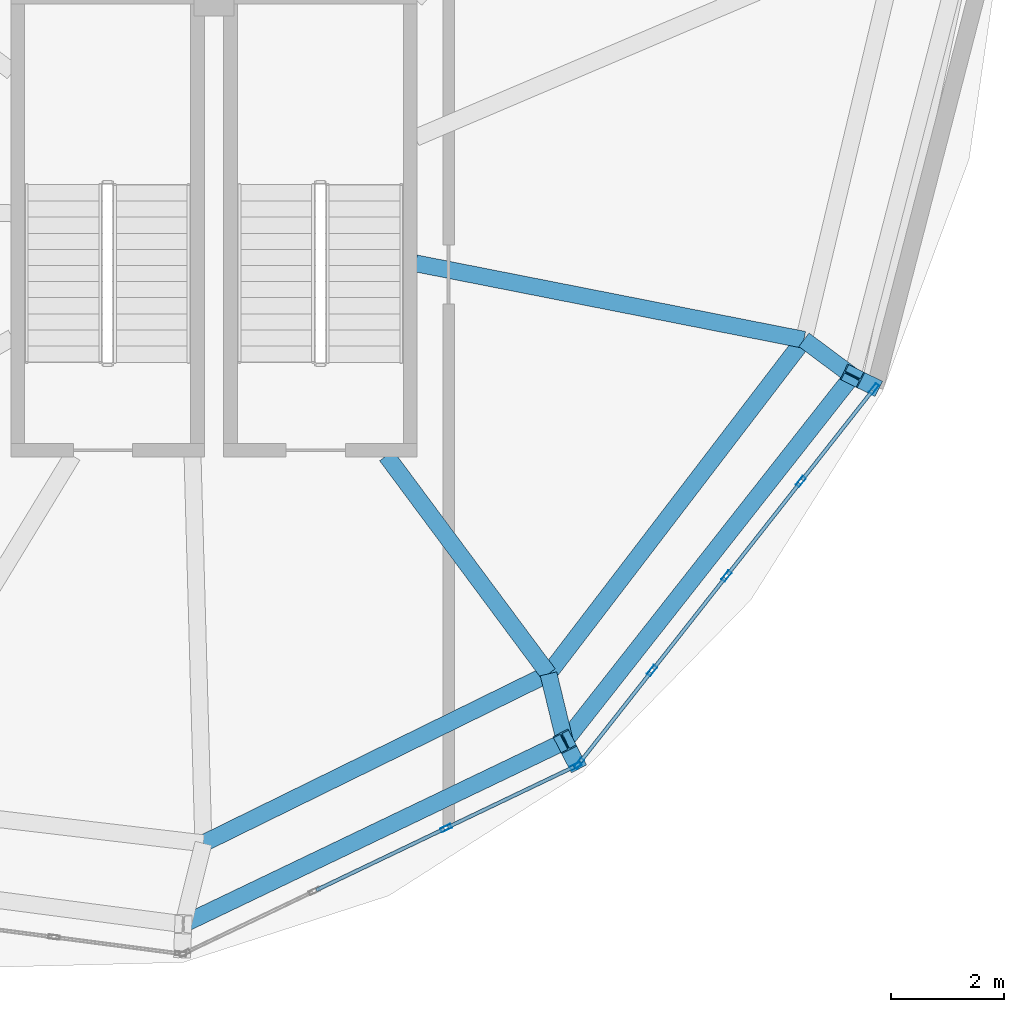
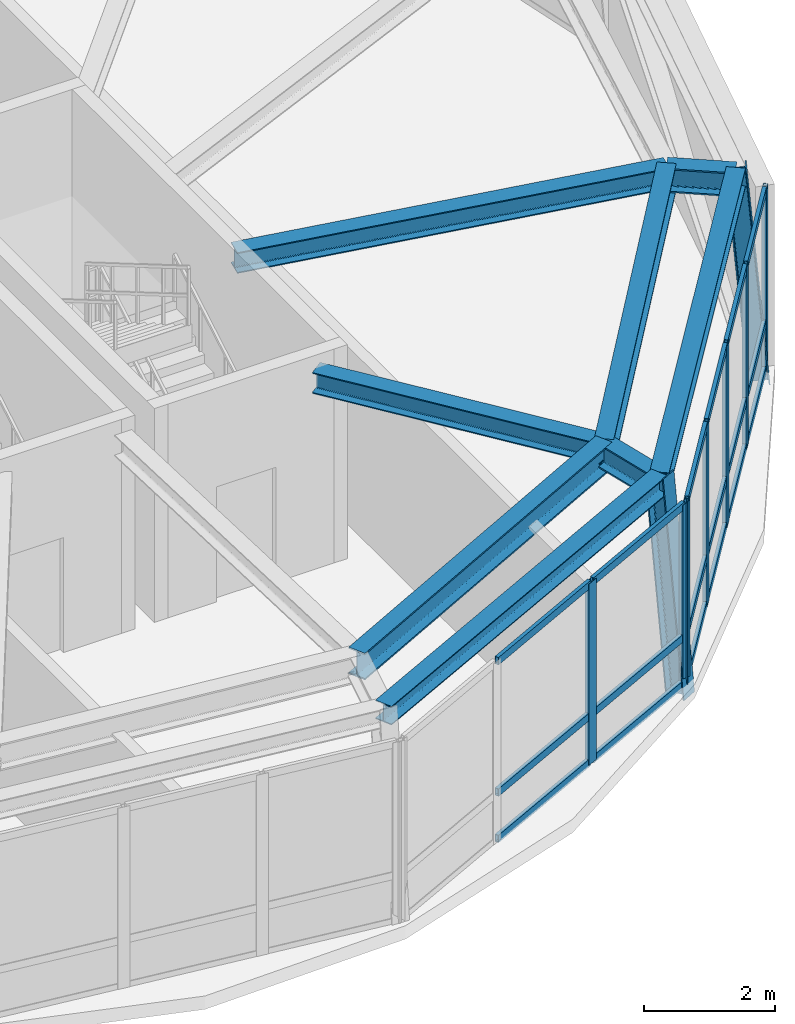
# One storey, part 4 of 11: 27 members, 8 beams, 2 elements without a shape of their own.
"""IFC4 building model written with IfcOpenShell, lengths in metres."""

from ifc_helpers import new_model, si_unit, direction, frame, origin, origin_2d, place, context, subcontext, project, spatial, hollow_rectangle, i_section, extrude, material, layer, layer_set, material_profile, profile_set, type_object, element, aggregate, save


model = new_model("IFC4")

# Units and contexts
model_context = context("Model", 3, precision=1e-05, world=origin(), true_north=direction((0.0, 1.0)))
body_context = subcontext(model_context, "Body", "Model", "MODEL_VIEW")
ifc_project = project(units=[si_unit("LENGTHUNIT", "METRE"), si_unit("AREAUNIT", "SQUARE_METRE"), si_unit("VOLUMEUNIT", "CUBIC_METRE"), si_unit("PLANEANGLEUNIT", "RADIAN"), si_unit("MASSUNIT", "GRAM", prefix="KILO"), si_unit("THERMODYNAMICTEMPERATUREUNIT", "KELVIN"), si_unit("POWERUNIT", "WATT")], contexts=[model_context])

# Site, building, storey
site_placement = place(None, origin())
site = spatial("IfcSite", under=ifc_project, at=site_placement, CompositionType="ELEMENT")
building_placement = place(site_placement, origin())
building = spatial("IfcBuilding", under=site, at=building_placement, Name="Ocrelia Relay Tower", CompositionType="ELEMENT")
storey_placement = place(building_placement, frame((0.0, 0.0, 292.0)))
storey = spatial("IfcBuildingStorey", under=building, at=storey_placement, Name="L73", CompositionType="ELEMENT", Elevation=292.0)

# Beams
ifc_material_1 = material(Name="Steel S355", Category="steel")
ifc_material_profile_1 = material_profile(ifc_material_1, i_section(OverallWidth=0.300048828125, OverallDepth=0.35009765625, WebThickness=0.010009765625, FlangeThickness=0.017578125, FilletRadius=0.027099609375, at=origin_2d()), Name="HEA 360")
ifc_profile_set_1 = profile_set([ifc_material_profile_1], Name="Steel S355")
beam_type_1 = type_object("IfcBeamType", Name="BM-HEA360", PredefinedType="SPANDREL", material=ifc_profile_set_1)
beam_1_placement = place(storey_placement, frame((33.456787109375, 10.70947265625, 3.574951171875), z_axis=(0.901811525777, 0.432129577762, 0.0), x_axis=(-0.432129577762, 0.901811525777, 0.0)))
element("IfcBeam", 1, at=beam_1_placement, inside=storey, type_object=beam_type_1, Name="L73 Crown Faceted Ring Beam R08", PredefinedType="SPANDREL", context=body_context, shape_type="SweptSolid", body=[
    extrude(i_section(OverallWidth=0.300048828125, OverallDepth=0.35009765625, WebThickness=0.010009765625, FlangeThickness=0.017578125, FilletRadius=0.027099609375, at=origin_2d()), origin(), (0.0, 0.0, 1.0), 7.483154296875),
])
beam_2_placement = place(storey_placement, frame((40.205078125, 13.943115234375, 3.574951171875), z_axis=(0.618332661084, 0.785916484263, 0.0), x_axis=(-0.785916484263, 0.618332661084, 0.0)))
element("IfcBeam", 2, at=beam_2_placement, inside=storey, type_object=beam_type_1, Name="L73 Crown Faceted Ring Beam R09", PredefinedType="SPANDREL", context=body_context, shape_type="SweptSolid", body=[
    extrude(i_section(OverallWidth=0.300048828125, OverallDepth=0.35009765625, WebThickness=0.010009765625, FlangeThickness=0.017578125, FilletRadius=0.027099609375, at=origin_2d()), origin(), (0.0, 0.0, 1.0), 8.225341796875),
])
ifc_material_profile_2 = material_profile(ifc_material_1, i_section(OverallWidth=0.300048828125, OverallDepth=0.389892578125, WebThickness=0.010986328125, FlangeThickness=0.01904296875, FilletRadius=0.027099609375, at=origin_2d()), Name="HEA 400")
ifc_profile_set_2 = profile_set([ifc_material_profile_2], Name="Steel S355")
beam_type_2 = type_object("IfcBeamType", Name="BM-HEA400", PredefinedType="SPANDREL", material=ifc_profile_set_2)
beam_3_placement = place(storey_placement, frame((39.915283203125, 15.1376953125, 3.554931640625), z_axis=(-0.596352062791, 0.802723001542, 0.0), x_axis=(-0.802723001542, -0.596352062791, 0.0)))
element("IfcBeam", 3, at=beam_3_placement, inside=storey, type_object=beam_type_2, Name="L73 Crown Radial Floor Beam 09", PredefinedType="SPANDREL", context=body_context, shape_type="SweptSolid", body=[
    extrude(i_section(OverallWidth=0.300048828125, OverallDepth=0.389892578125, WebThickness=0.010986328125, FlangeThickness=0.01904296875, FilletRadius=0.027099609375, at=origin_2d()), origin(), (0.0, 0.0, 1.0), 4.805419921875),
])
beam_4_placement = place(storey_placement, frame((44.43359375, 21.0458984375, 3.554931640625), z_axis=(-0.981165101671, 0.193171020763, 0.0), x_axis=(-0.193171020763, -0.981165101671, 0.0)))
element("IfcBeam", 4, at=beam_4_placement, inside=storey, type_object=beam_type_2, Name="L73 Crown Radial Floor Beam 10", PredefinedType="SPANDREL", context=body_context, shape_type="SweptSolid", body=[
    extrude(i_section(OverallWidth=0.300048828125, OverallDepth=0.389892578125, WebThickness=0.010986328125, FlangeThickness=0.01904296875, FilletRadius=0.027099609375, at=origin_2d()), origin(), (0.0, 0.0, 1.0), 7.00048828125),
])
ifc_material_profile_3 = material_profile(ifc_material_1, i_section(OverallWidth=0.300048828125, OverallDepth=0.449951171875, WebThickness=0.013916015625, FlangeThickness=0.02587890625, FilletRadius=0.027099609375, at=origin_2d()), Name="HEB 450")
ifc_profile_set_3 = profile_set([ifc_material_profile_3], Name="Steel S355")
beam_type_3 = type_object("IfcBeamType", Name="BM-HEB450", PredefinedType="BEAM", material=ifc_profile_set_3)
beam_5_placement = place(storey_placement, frame((40.205078125, 13.943115234375, 3.52490234375), z_axis=(-0.235753504113, 0.97181288595, 0.0), x_axis=(-0.97181288595, -0.235753504113, 0.0)))
element("IfcBeam", 5, at=beam_5_placement, inside=storey, type_object=beam_type_3, Name="L73 Crown Step Radial Beam ST09", PredefinedType="BEAM", context=body_context, shape_type="SweptSolid", body=[
    extrude(i_section(OverallWidth=0.300048828125, OverallDepth=0.449951171875, WebThickness=0.013916015625, FlangeThickness=0.02587890625, FilletRadius=0.027099609375, at=origin_2d()), origin(), (0.0, 0.0, 1.0), 1.229248046875),
])
beam_6_placement = place(storey_placement, frame((45.291015625, 20.407470703125, 3.52490234375), z_axis=(-0.8020780247, 0.597219258141, 0.0), x_axis=(-0.597219258141, -0.8020780247, 0.0)))
element("IfcBeam", 6, at=beam_6_placement, inside=storey, type_object=beam_type_3, Name="L73 Crown Step Radial Beam ST10", PredefinedType="BEAM", context=body_context, shape_type="SweptSolid", body=[
    extrude(i_section(OverallWidth=0.300048828125, OverallDepth=0.449951171875, WebThickness=0.013916015625, FlangeThickness=0.02587890625, FilletRadius=0.027099609375, at=origin_2d()), origin(), (0.0, 0.0, 1.0), 1.069091796875),
])
ifc_material_profile_4 = material_profile(ifc_material_1, i_section(OverallWidth=0.300048828125, OverallDepth=0.5, WebThickness=0.014404296875, FlangeThickness=0.028076171875, FilletRadius=0.027099609375, at=origin_2d()), Name="HEB 500")
ifc_profile_set_4 = profile_set([ifc_material_profile_4], Name="Steel S355")
beam_type_4 = type_object("IfcBeamType", Name="BM-HEB500", PredefinedType="BEAM", material=ifc_profile_set_4)
beam_7_placement = place(storey_placement, frame((33.81201171875, 12.140380859375, 3.5), z_axis=(0.897599940141, 0.440811011045, 0.0), x_axis=(-0.440811011045, 0.897599940141, 0.0)))
element("IfcBeam", 7, at=beam_7_placement, inside=storey, type_object=beam_type_4, Name="L73 Crown Step Perimeter Ring Beam SR08", PredefinedType="BEAM", context=body_context, shape_type="SweptSolid", body=[
    extrude(i_section(OverallWidth=0.300048828125, OverallDepth=0.5, WebThickness=0.014404296875, FlangeThickness=0.028076171875, FilletRadius=0.027099609375, at=origin_2d()), origin(), (0.0, 0.0, 1.0), 6.799560546875),
])
beam_8_placement = place(storey_placement, frame((39.915283203125, 15.1376953125, 3.5), z_axis=(0.607473256097, 0.794340130629, 0.0), x_axis=(-0.794340130629, 0.607473256097, 0.0)))
element("IfcBeam", 8, at=beam_8_placement, inside=storey, type_object=beam_type_4, Name="L73 Crown Step Perimeter Ring Beam SR09", PredefinedType="BEAM", context=body_context, shape_type="SweptSolid", body=[
    extrude(i_section(OverallWidth=0.300048828125, OverallDepth=0.5, WebThickness=0.014404296875, FlangeThickness=0.028076171875, FilletRadius=0.027099609375, at=origin_2d()), origin(), (0.0, 0.0, 1.0), 7.43798828125),
])

# Curtain wall, members
ifc_material_2 = material(Name="Aluminium and solar-control low-E glass", Category="aluminium")
ifc_layer = layer(ifc_material_2, 0.179931640625, Name="Aluminium and solar-control low-E glass")
ifc_layer_set = layer_set([ifc_layer], Name="Aluminium and solar-control low-E glass")
curtain_wall_type = type_object("IfcCurtainWallType", Name="CW-SYS-CROWN-PT", PredefinedType="NOTDEFINED", material=ifc_layer_set)
curtain_wall_1_placement = place(storey_placement, origin())
curtain_wall_1 = element("IfcCurtainWall", 9, at=curtain_wall_1_placement, inside=storey, type_object=curtain_wall_type, Name="L73 Faceted Glass-Point Crown Curtain Wall 08", PredefinedType="NOTDEFINED")
ifc_material_3 = material(Name="Anodised bronze aluminium", Category="aluminium")
ifc_material_profile_5 = material_profile(ifc_material_3, hollow_rectangle(XDim=0.074951171875, YDim=0.199951171875, WallThickness=0.006103515625, at=origin_2d()), Name="CW-MUL-200x75")
ifc_profile_set_5 = profile_set([ifc_material_profile_5], Name="Anodised bronze aluminium")
member_type_1 = type_object("IfcMemberType", Name="CW-SYS-CROWN-PT-MUL", PredefinedType="MULLION", material=ifc_profile_set_5)
member_1_placement = place(storey_placement, frame((38.103759765625, 12.409912109375, 0.0), z_axis=(0.0, 0.0, 1.0), x_axis=(-0.431476975166, 0.902123949301, 0.0)))
member_1 = element("IfcMember", 10, at=member_1_placement, type_object=member_type_1, Name="CW-CR mullion 3", PredefinedType="MULLION", context=body_context, shape_type="SweptSolid", body=[
    extrude(hollow_rectangle(XDim=0.074951171875, YDim=0.199951171875, WallThickness=0.006103515625, at=origin_2d()), origin(), (0.0, 0.0, 1.0), 3.389892578125),
])
member_2_placement = place(storey_placement, frame((40.3984375, 13.507568359375, 0.0), z_axis=(0.0, 0.0, 1.0), x_axis=(-0.431476975166, 0.902123949301, 0.0)))
member_2 = element("IfcMember", 11, at=member_2_placement, type_object=member_type_1, Name="CW-CR mullion 4", PredefinedType="MULLION", context=body_context, shape_type="SweptSolid", body=[
    extrude(hollow_rectangle(XDim=0.074951171875, YDim=0.199951171875, WallThickness=0.006103515625, at=origin_2d()), origin(), (0.0, 0.0, 1.0), 3.389892578125),
])

curtain_wall_2_placement = place(storey_placement, origin())
curtain_wall_2 = element("IfcCurtainWall", 12, at=curtain_wall_2_placement, inside=storey, type_object=curtain_wall_type, Name="L73 Faceted Glass-Point Crown Curtain Wall 09", PredefinedType="NOTDEFINED")
member_3_placement = place(storey_placement, frame((40.45556640625, 13.55322265625, 0.0), z_axis=(0.0, 0.0, 1.0), x_axis=(-0.785742011469, 0.61855435607, 0.0)))
member_3 = element("IfcMember", 13, at=member_3_placement, type_object=member_type_1, Name="CW-CR mullion 1", PredefinedType="MULLION", context=body_context, shape_type="SweptSolid", body=[
    extrude(hollow_rectangle(XDim=0.074951171875, YDim=0.199951171875, WallThickness=0.006103515625, at=origin_2d()), origin(), (0.0, 0.0, 1.0), 3.389892578125),
])
member_4_placement = place(storey_placement, frame((41.747802734375, 15.194580078125, 0.0), z_axis=(0.0, 0.0, 1.0), x_axis=(-0.785742011469, 0.61855435607, 0.0)))
member_4 = element("IfcMember", 14, at=member_4_placement, type_object=member_type_1, Name="CW-CR mullion 2", PredefinedType="MULLION", context=body_context, shape_type="SweptSolid", body=[
    extrude(hollow_rectangle(XDim=0.074951171875, YDim=0.199951171875, WallThickness=0.006103515625, at=origin_2d()), origin(), (0.0, 0.0, 1.0), 3.389892578125),
])
member_5_placement = place(storey_placement, frame((43.063232421875, 16.86572265625, 0.0), z_axis=(0.0, 0.0, 1.0), x_axis=(-0.785742011469, 0.61855435607, 0.0)))
member_5 = element("IfcMember", 15, at=member_5_placement, type_object=member_type_1, Name="CW-CR mullion 3", PredefinedType="MULLION", context=body_context, shape_type="SweptSolid", body=[
    extrude(hollow_rectangle(XDim=0.074951171875, YDim=0.199951171875, WallThickness=0.006103515625, at=origin_2d()), origin(), (0.0, 0.0, 1.0), 3.389892578125),
])
member_6_placement = place(storey_placement, frame((44.378662109375, 18.53662109375, 0.0), z_axis=(0.0, 0.0, 1.0), x_axis=(-0.785742011469, 0.61855435607, 0.0)))
member_6 = element("IfcMember", 16, at=member_6_placement, type_object=member_type_1, Name="CW-CR mullion 4", PredefinedType="MULLION", context=body_context, shape_type="SweptSolid", body=[
    extrude(hollow_rectangle(XDim=0.074951171875, YDim=0.199951171875, WallThickness=0.006103515625, at=origin_2d()), origin(), (0.0, 0.0, 1.0), 3.389892578125),
])
member_7_placement = place(storey_placement, frame((45.6708984375, 20.17822265625, 0.0), z_axis=(0.0, 0.0, 1.0), x_axis=(-0.785742011469, 0.61855435607, 0.0)))
member_7 = element("IfcMember", 17, at=member_7_placement, type_object=member_type_1, Name="CW-CR mullion 5", PredefinedType="MULLION", context=body_context, shape_type="SweptSolid", body=[
    extrude(hollow_rectangle(XDim=0.074951171875, YDim=0.199951171875, WallThickness=0.006103515625, at=origin_2d()), origin(), (0.0, 0.0, 1.0), 3.389892578125),
])

# Member
ifc_material_profile_6 = material_profile(ifc_material_3, hollow_rectangle(XDim=0.06494140625, YDim=0.139892578125, WallThickness=0.0048828125, at=origin_2d()), Name="CW-TRN-140x65")
ifc_profile_set_6 = profile_set([ifc_material_profile_6], Name="Anodised bronze aluminium")
member_type_2 = type_object("IfcMemberType", Name="CW-SYS-CROWN-PT-TRN", PredefinedType="USERDEFINED", material=ifc_profile_set_6)
member_8_placement = place(storey_placement, frame((35.809326171875, 11.3125, 0.032470703125), z_axis=(0.902122680617, 0.431479627695, 0.0), x_axis=(-0.431479627695, 0.902122680617, 0.0)))
member_8 = element("IfcMember", 18, at=member_8_placement, type_object=member_type_2, Name="CW-CR transom 2.1", ObjectType="TRANSOM", PredefinedType="USERDEFINED", context=body_context, shape_type="SweptSolid", body=[
    extrude(hollow_rectangle(XDim=0.06494140625, YDim=0.139892578125, WallThickness=0.0048828125, at=origin_2d()), origin(), (0.0, 0.0, 1.0), 2.506103515625),
])

member_9_placement = place(storey_placement, frame((35.809326171875, 11.3125, 0.89990234375), z_axis=(0.902122680617, 0.431479627695, 0.0), x_axis=(-0.431479627695, 0.902122680617, 0.0)))
member_9 = element("IfcMember", 19, at=member_9_placement, type_object=member_type_2, Name="CW-CR transom 2.2", ObjectType="TRANSOM", PredefinedType="USERDEFINED", context=body_context, shape_type="SweptSolid", body=[
    extrude(hollow_rectangle(XDim=0.06494140625, YDim=0.139892578125, WallThickness=0.0048828125, at=origin_2d()), origin(), (0.0, 0.0, 1.0), 2.506103515625),
])

member_10_placement = place(storey_placement, frame((35.809326171875, 11.3125, 3.357421875), z_axis=(0.902122680617, 0.431479627695, 0.0), x_axis=(-0.431479627695, 0.902122680617, 0.0)))
member_10 = element("IfcMember", 20, at=member_10_placement, type_object=member_type_2, Name="CW-CR transom 2.3", ObjectType="TRANSOM", PredefinedType="USERDEFINED", context=body_context, shape_type="SweptSolid", body=[
    extrude(hollow_rectangle(XDim=0.06494140625, YDim=0.139892578125, WallThickness=0.0048828125, at=origin_2d()), origin(), (0.0, 0.0, 1.0), 2.506103515625),
])

member_11_placement = place(storey_placement, frame((38.1376953125, 12.42626953125, 0.032470703125), z_axis=(0.902122506019, 0.431479992739, 0.0), x_axis=(-0.431479992739, 0.902122506019, 0.0)))
member_11 = element("IfcMember", 21, at=member_11_placement, type_object=member_type_2, Name="CW-CR transom 3.1", ObjectType="TRANSOM", PredefinedType="USERDEFINED", context=body_context, shape_type="SweptSolid", body=[
    extrude(hollow_rectangle(XDim=0.06494140625, YDim=0.139892578125, WallThickness=0.0048828125, at=origin_2d()), origin(), (0.0, 0.0, 1.0), 2.46875),
])

member_12_placement = place(storey_placement, frame((38.1376953125, 12.42626953125, 0.89990234375), z_axis=(0.902122506019, 0.431479992739, 0.0), x_axis=(-0.431479992739, 0.902122506019, 0.0)))
member_12 = element("IfcMember", 22, at=member_12_placement, type_object=member_type_2, Name="CW-CR transom 3.2", ObjectType="TRANSOM", PredefinedType="USERDEFINED", context=body_context, shape_type="SweptSolid", body=[
    extrude(hollow_rectangle(XDim=0.06494140625, YDim=0.139892578125, WallThickness=0.0048828125, at=origin_2d()), origin(), (0.0, 0.0, 1.0), 2.46875),
])

member_13_placement = place(storey_placement, frame((38.1376953125, 12.42626953125, 3.357421875), z_axis=(0.902122506019, 0.431479992739, 0.0), x_axis=(-0.431479992739, 0.902122506019, 0.0)))
member_13 = element("IfcMember", 23, at=member_13_placement, type_object=member_type_2, Name="CW-CR transom 3.3", ObjectType="TRANSOM", PredefinedType="USERDEFINED", context=body_context, shape_type="SweptSolid", body=[
    extrude(hollow_rectangle(XDim=0.06494140625, YDim=0.139892578125, WallThickness=0.0048828125, at=origin_2d()), origin(), (0.0, 0.0, 1.0), 2.46875),
])

aggregate(curtain_wall_1, [member_1, member_2, member_8, member_9, member_10, member_11, member_12, member_13])

member_14_placement = place(storey_placement, frame((40.478759765625, 13.58251953125, 0.032470703125), z_axis=(0.618511841129, 0.785775478354, 0.0), x_axis=(-0.785775478354, 0.618511841129, 0.0)))
member_14 = element("IfcMember", 24, at=member_14_placement, type_object=member_type_2, Name="CW-CR transom 1.1", ObjectType="TRANSOM", PredefinedType="USERDEFINED", context=body_context, shape_type="SweptSolid", body=[
    extrude(hollow_rectangle(XDim=0.06494140625, YDim=0.139892578125, WallThickness=0.0048828125, at=origin_2d()), origin(), (0.0, 0.0, 1.0), 2.01416015625),
])

member_15_placement = place(storey_placement, frame((40.478759765625, 13.58251953125, 0.89990234375), z_axis=(0.618511841129, 0.785775478354, 0.0), x_axis=(-0.785775478354, 0.618511841129, 0.0)))
member_15 = element("IfcMember", 25, at=member_15_placement, type_object=member_type_2, Name="CW-CR transom 1.2", ObjectType="TRANSOM", PredefinedType="USERDEFINED", context=body_context, shape_type="SweptSolid", body=[
    extrude(hollow_rectangle(XDim=0.06494140625, YDim=0.139892578125, WallThickness=0.0048828125, at=origin_2d()), origin(), (0.0, 0.0, 1.0), 2.01416015625),
])

member_16_placement = place(storey_placement, frame((40.478759765625, 13.58251953125, 3.357421875), z_axis=(0.618511841129, 0.785775478354, 0.0), x_axis=(-0.785775478354, 0.618511841129, 0.0)))
member_16 = element("IfcMember", 26, at=member_16_placement, type_object=member_type_2, Name="CW-CR transom 1.3", ObjectType="TRANSOM", PredefinedType="USERDEFINED", context=body_context, shape_type="SweptSolid", body=[
    extrude(hollow_rectangle(XDim=0.06494140625, YDim=0.139892578125, WallThickness=0.0048828125, at=origin_2d()), origin(), (0.0, 0.0, 1.0), 2.01416015625),
])

member_17_placement = place(storey_placement, frame((41.77099609375, 15.22412109375, 0.032470703125), z_axis=(0.618551790611, 0.785744031051, 0.0), x_axis=(-0.785744031051, 0.618551790611, 0.0)))
member_17 = element("IfcMember", 27, at=member_17_placement, type_object=member_type_2, Name="CW-CR transom 2.1", ObjectType="TRANSOM", PredefinedType="USERDEFINED", context=body_context, shape_type="SweptSolid", body=[
    extrude(hollow_rectangle(XDim=0.06494140625, YDim=0.139892578125, WallThickness=0.0048828125, at=origin_2d()), origin(), (0.0, 0.0, 1.0), 2.0517578125),
])

member_18_placement = place(storey_placement, frame((41.77099609375, 15.22412109375, 0.89990234375), z_axis=(0.618551790611, 0.785744031051, 0.0), x_axis=(-0.785744031051, 0.618551790611, 0.0)))
member_18 = element("IfcMember", 28, at=member_18_placement, type_object=member_type_2, Name="CW-CR transom 2.2", ObjectType="TRANSOM", PredefinedType="USERDEFINED", context=body_context, shape_type="SweptSolid", body=[
    extrude(hollow_rectangle(XDim=0.06494140625, YDim=0.139892578125, WallThickness=0.0048828125, at=origin_2d()), origin(), (0.0, 0.0, 1.0), 2.0517578125),
])

member_19_placement = place(storey_placement, frame((41.77099609375, 15.22412109375, 3.357421875), z_axis=(0.618551790611, 0.785744031051, 0.0), x_axis=(-0.785744031051, 0.618551790611, 0.0)))
member_19 = element("IfcMember", 29, at=member_19_placement, type_object=member_type_2, Name="CW-CR transom 2.3", ObjectType="TRANSOM", PredefinedType="USERDEFINED", context=body_context, shape_type="SweptSolid", body=[
    extrude(hollow_rectangle(XDim=0.06494140625, YDim=0.139892578125, WallThickness=0.0048828125, at=origin_2d()), origin(), (0.0, 0.0, 1.0), 2.0517578125),
])

member_20_placement = place(storey_placement, frame((43.08642578125, 16.895263671875, 0.032470703125), z_axis=(0.618551790611, 0.785744031051, 0.0), x_axis=(-0.785744031051, 0.618551790611, 0.0)))
member_20 = element("IfcMember", 30, at=member_20_placement, type_object=member_type_2, Name="CW-CR transom 3.1", ObjectType="TRANSOM", PredefinedType="USERDEFINED", context=body_context, shape_type="SweptSolid", body=[
    extrude(hollow_rectangle(XDim=0.06494140625, YDim=0.139892578125, WallThickness=0.0048828125, at=origin_2d()), origin(), (0.0, 0.0, 1.0), 2.0517578125),
])

member_21_placement = place(storey_placement, frame((43.08642578125, 16.895263671875, 0.89990234375), z_axis=(0.618551790611, 0.785744031051, 0.0), x_axis=(-0.785744031051, 0.618551790611, 0.0)))
member_21 = element("IfcMember", 31, at=member_21_placement, type_object=member_type_2, Name="CW-CR transom 3.2", ObjectType="TRANSOM", PredefinedType="USERDEFINED", context=body_context, shape_type="SweptSolid", body=[
    extrude(hollow_rectangle(XDim=0.06494140625, YDim=0.139892578125, WallThickness=0.0048828125, at=origin_2d()), origin(), (0.0, 0.0, 1.0), 2.0517578125),
])

member_22_placement = place(storey_placement, frame((43.08642578125, 16.895263671875, 3.357421875), z_axis=(0.618551790611, 0.785744031051, 0.0), x_axis=(-0.785744031051, 0.618551790611, 0.0)))
member_22 = element("IfcMember", 32, at=member_22_placement, type_object=member_type_2, Name="CW-CR transom 3.3", ObjectType="TRANSOM", PredefinedType="USERDEFINED", context=body_context, shape_type="SweptSolid", body=[
    extrude(hollow_rectangle(XDim=0.06494140625, YDim=0.139892578125, WallThickness=0.0048828125, at=origin_2d()), origin(), (0.0, 0.0, 1.0), 2.0517578125),
])

member_23_placement = place(storey_placement, frame((44.40185546875, 18.566162109375, 0.032470703125), z_axis=(0.618570752278, 0.785729103716, 0.0), x_axis=(-0.785729103716, 0.618570752278, 0.0)))
member_23 = element("IfcMember", 33, at=member_23_placement, type_object=member_type_2, Name="CW-CR transom 4.1", ObjectType="TRANSOM", PredefinedType="USERDEFINED", context=body_context, shape_type="SweptSolid", body=[
    extrude(hollow_rectangle(XDim=0.06494140625, YDim=0.139892578125, WallThickness=0.0048828125, at=origin_2d()), origin(), (0.0, 0.0, 1.0), 2.01416015625),
])

member_24_placement = place(storey_placement, frame((44.40185546875, 18.566162109375, 0.89990234375), z_axis=(0.618570752278, 0.785729103716, 0.0), x_axis=(-0.785729103716, 0.618570752278, 0.0)))
member_24 = element("IfcMember", 34, at=member_24_placement, type_object=member_type_2, Name="CW-CR transom 4.2", ObjectType="TRANSOM", PredefinedType="USERDEFINED", context=body_context, shape_type="SweptSolid", body=[
    extrude(hollow_rectangle(XDim=0.06494140625, YDim=0.139892578125, WallThickness=0.0048828125, at=origin_2d()), origin(), (0.0, 0.0, 1.0), 2.01416015625),
])

member_25_placement = place(storey_placement, frame((44.40185546875, 18.566162109375, 3.357421875), z_axis=(0.618570752278, 0.785729103716, 0.0), x_axis=(-0.785729103716, 0.618570752278, 0.0)))
member_25 = element("IfcMember", 35, at=member_25_placement, type_object=member_type_2, Name="CW-CR transom 4.3", ObjectType="TRANSOM", PredefinedType="USERDEFINED", context=body_context, shape_type="SweptSolid", body=[
    extrude(hollow_rectangle(XDim=0.06494140625, YDim=0.139892578125, WallThickness=0.0048828125, at=origin_2d()), origin(), (0.0, 0.0, 1.0), 2.01416015625),
])

aggregate(curtain_wall_2, [member_3, member_4, member_5, member_6, member_7, member_14, member_15, member_16, member_17, member_18, member_19, member_20, member_21, member_22, member_23, member_24, member_25])

# Members
ifc_material_profile_7 = material_profile(ifc_material_1, i_section(OverallWidth=0.300048828125, OverallDepth=0.340087890625, WebThickness=0.011962890625, FlangeThickness=0.021484375, FilletRadius=0.027099609375, at=origin_2d()), Name="HEB 340")
ifc_profile_set_7 = profile_set([ifc_material_profile_7], Name="Steel S355")
member_type_3 = type_object("IfcMemberType", Name="MB-CROWN-RIB", PredefinedType="STRUT", material=ifc_profile_set_7)
member_26_placement = place(storey_placement, frame((40.376953125, 13.60693359375, -0.25), z_axis=(-0.042778595175, 0.083673473801, 0.995574578611), x_axis=(-0.890382268965, -0.455213592848, 0.0)))
element("IfcMember", 36, at=member_26_placement, inside=storey, type_object=member_type_3, Name="L73 Crown Faceted Structural Strut Rib CR09", PredefinedType="STRUT", context=body_context, shape_type="SweptSolid", body=[
    extrude(i_section(OverallWidth=0.300048828125, OverallDepth=0.340087890625, WebThickness=0.011962890625, FlangeThickness=0.021484375, FilletRadius=0.027099609375, at=origin_2d()), origin(), (0.0, 0.0, 1.0), 4.017822265625),
])
member_27_placement = place(storey_placement, frame((45.6044921875, 20.252197265625, -0.25), z_axis=(-0.078071142385, 0.03867075277, 0.996197505321), x_axis=(-0.443860567831, -0.896095863357, 0.0)))
element("IfcMember", 37, at=member_27_placement, inside=storey, type_object=member_type_3, Name="L73 Crown Faceted Structural Strut Rib CR10", PredefinedType="STRUT", context=body_context, shape_type="SweptSolid", body=[
    extrude(i_section(OverallWidth=0.300048828125, OverallDepth=0.340087890625, WebThickness=0.011962890625, FlangeThickness=0.021484375, FilletRadius=0.027099609375, at=origin_2d()), origin(), (0.0, 0.0, 1.0), 4.015380859375),
])

save(model, "model.ifc")
